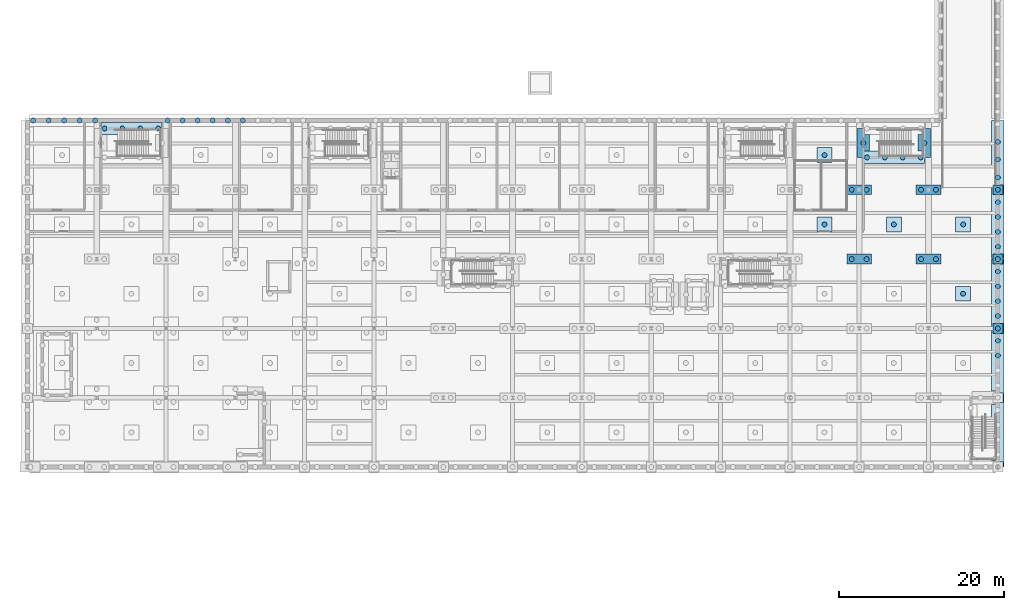
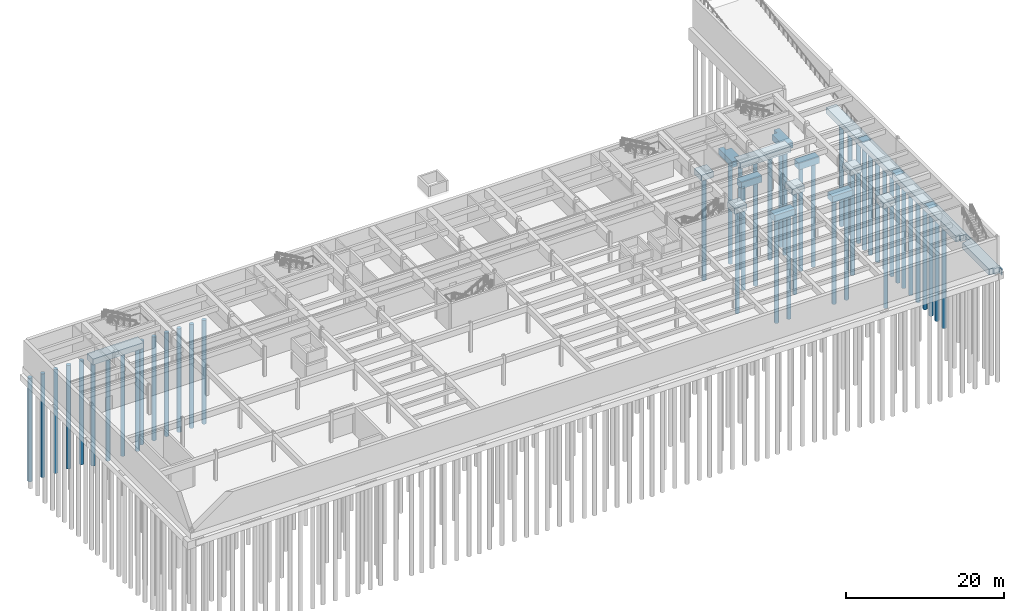
# One storey, part 9 of 33: 50 piles, 18 footings.
"""IFC4 building model written with IfcOpenShell, lengths in metres."""

from ifc_helpers import new_model, si_unit, direction, frame, origin, origin_2d, place, context, subcontext, project, spatial, polyline, circle, outline, extrude, material, layer, layer_set, material_profile, profile_set, type_object, element, save


model = new_model("IFC4")

# Units and contexts
model_context = context("Model", 3, precision=1e-05, world=origin(), true_north=direction((0.0, 1.0)))
body_context = subcontext(model_context, "Body", "Model", "MODEL_VIEW")
ifc_project = project(units=[si_unit("LENGTHUNIT", "METRE"), si_unit("AREAUNIT", "SQUARE_METRE"), si_unit("VOLUMEUNIT", "CUBIC_METRE"), si_unit("PLANEANGLEUNIT", "RADIAN"), si_unit("MASSUNIT", "GRAM", prefix="KILO")], contexts=[model_context])

# Site, building, storey
site_placement = place(None, origin())
site = spatial("IfcSite", under=ifc_project, at=site_placement, CompositionType="ELEMENT")
building_placement = place(site_placement, origin())
building = spatial("IfcBuilding", under=site, at=building_placement, Name="Ljudholm Concert House", CompositionType="ELEMENT")
storey_placement = place(building_placement, frame((0.0, 0.0, -4.60009765625)))
storey = spatial("IfcBuildingStorey", under=building, at=storey_placement, Name="B1", CompositionType="ELEMENT", Elevation=-4.60009765625)

# Piles
ifc_material_1 = material(Name="Concrete 5,000 psi", Category="concrete")
ifc_material_profile = material_profile(ifc_material_1, circle(Radius=0.300048828125, at=origin_2d()), Name="AUGER-CAST PILE D600")
ifc_profile_set = profile_set([ifc_material_profile], Name="Concrete 5,000 psi")
pile_type = type_object("IfcPileType", Name="AUGER-CAST PILE D600", PredefinedType="BORED", material=ifc_profile_set)
for number, where, z_axis, x_axis, name in (
    (1, (103.89990234375, 130.0, -1.89990234375), (0.0, 0.0, -1.0), (1.0, 0.0, 0.0), "Pile D600"),
    (2, (105.699951171875, 130.0, -1.89990234375), (0.0, 0.0, -1.0), (1.0, 0.0, 0.0), "Pile D600"),
    (3, (103.89990234375, 138.39990234375, -1.89990234375), (0.0, 0.0, -1.0), (1.0, 0.0, 0.0), "Pile D600"),
    (4, (105.699951171875, 138.39990234375, -1.89990234375), (0.0, 0.0, -1.0), (1.0, 0.0, 0.0), "Pile D600"),
    (5, (112.300048828125, 130.0, -1.89990234375), (0.0, 0.0, -1.0), (1.0, 0.0, 0.0), "Pile D600"),
    (6, (114.10009765625, 130.0, -1.89990234375), (0.0, 0.0, -1.0), (1.0, 0.0, 0.0), "Pile D600"),
    (7, (112.300048828125, 138.39990234375, -1.89990234375), (0.0, 0.0, -1.0), (1.0, 0.0, 0.0), "Pile D600"),
    (8, (114.10009765625, 138.39990234375, -1.89990234375), (0.0, 0.0, -1.0), (1.0, 0.0, 0.0), "Pile D600"),
    (9, (121.60009765625, 121.60009765625, -1.89990234375), (0.0, 0.0, -1.0), (1.0, 0.0, 0.0), "Pile D600"),
    (10, (121.60009765625, 130.0, -1.89990234375), (0.0, 0.0, -1.0), (1.0, 0.0, 0.0), "Pile D600"),
    (11, (121.60009765625, 138.39990234375, -1.89990234375), (0.0, 0.0, -1.0), (1.0, 0.0, 0.0), "Pile D600"),
    (12, (13.35009765625, 145.824951171875, -1.7998046875), (0.0, 0.0, -1.0), (1.0, 0.0, 0.0), "Pile D600"),
    (13, (15.514892578125, 145.824951171875, -1.7998046875), (0.0, 0.0, -1.0), (1.0, 0.0, 0.0), "Pile D600"),
    (14, (17.679931640625, 145.824951171875, -1.7998046875), (0.0, 0.0, -1.0), (1.0, 0.0, 0.0), "Pile D600"),
    (15, (19.844970703125, 145.824951171875, -1.7998046875), (0.0, 0.0, -1.0), (1.0, 0.0, 0.0), "Pile D600"),
    (16, (105.75, 142.324951171875, -1.7998046875), (0.0, 0.0, -1.0), (1.0, 0.0, 0.0), "Pile D600"),
    (17, (107.9150390625, 142.324951171875, -1.7998046875), (0.0, 0.0, -1.0), (1.0, 0.0, 0.0), "Pile D600"),
    (18, (110.080078125, 142.324951171875, -1.7998046875), (0.0, 0.0, -1.0), (1.0, 0.0, 0.0), "Pile D600"),
    (19, (112.2451171875, 142.324951171875, -1.7998046875), (0.0, 0.0, -1.0), (1.0, 0.0, 0.0), "Pile D600"),
    (20, (4.699951171875, 146.800048828125, -1.7998046875), (0.0, 0.0, -1.0), (1.0, 0.0, 0.0), "Pile D600"),
    (21, (6.57763671875, 146.800048828125, -1.7998046875), (0.0, 0.0, -1.0), (1.0, 0.0, 0.0), "Pile D600"),
    (22, (8.455322265625, 146.800048828125, -1.7998046875), (0.0, 0.0, -1.0), (1.0, 0.0, 0.0), "Pile D600"),
    (23, (10.3330078125, 146.800048828125, -1.7998046875), (0.0, 0.0, -1.0), (1.0, 0.0, 0.0), "Pile D600"),
    (24, (12.210693359375, 146.800048828125, -1.7998046875), (0.0, 0.0, -1.0), (1.0, 0.0, 0.0), "Pile D600"),
    (25, (20.984375, 146.800048828125, -1.7998046875), (0.0, 0.0, -1.0), (1.0, 0.0, 0.0), "Pile D600"),
    (26, (22.8095703125, 146.800048828125, -1.7998046875), (0.0, 0.0, -1.0), (1.0, 0.0, 0.0), "Pile D600"),
    (27, (24.634521484375, 146.800048828125, -1.7998046875), (0.0, 0.0, -1.0), (1.0, 0.0, 0.0), "Pile D600"),
    (28, (26.459716796875, 146.800048828125, -1.7998046875), (0.0, 0.0, -1.0), (1.0, 0.0, 0.0), "Pile D600"),
    (29, (28.284912109375, 146.800048828125, -1.7998046875), (0.0, 0.0, -1.0), (1.0, 0.0, 0.0), "Pile D600"),
    (30, (30.110107421875, 146.800048828125, -1.7998046875), (0.0, 0.0, -1.0), (1.0, 0.0, 0.0), "Pile D600"),
    (31, (112.695068359375, 144.074951171875, -1.7998046875), (0.0, 0.0, -1.0), (1.0, 0.0, 0.0), "Pile D600"),
    (32, (105.300048828125, 144.074951171875, -1.7998046875), (0.0, 0.0, -1.0), (1.0, 0.0, 0.0), "Pile D600"),
    (33, (121.60009765625, 118.300048828125, -1.7998046875), (0.0, 0.0, -1.0), (1.0, 0.0, 0.0), "Pile D600"),
    (34, (121.60009765625, 120.10009765625, -1.7998046875), (0.0, 0.0, -1.0), (1.0, 0.0, 0.0), "Pile D600"),
    (35, (121.60009765625, 123.10009765625, -1.7998046875), (0.0, 0.0, -1.0), (1.0, 0.0, 0.0), "Pile D600"),
    (36, (121.60009765625, 124.89990234375, -1.7998046875), (0.0, 0.0, -1.0), (1.0, 0.0, 0.0), "Pile D600"),
    (37, (121.60009765625, 126.699951171875, -1.7998046875), (0.0, 0.0, -1.0), (1.0, 0.0, 0.0), "Pile D600"),
    (38, (121.60009765625, 128.5, -1.7998046875), (0.0, 0.0, -1.0), (1.0, 0.0, 0.0), "Pile D600"),
    (39, (121.60009765625, 131.5, -1.7998046875), (0.0, 0.0, -1.0), (1.0, 0.0, 0.0), "Pile D600"),
    (40, (121.60009765625, 133.300048828125, -1.7998046875), (0.0, 0.0, -1.0), (1.0, 0.0, 0.0), "Pile D600"),
    (41, (121.60009765625, 135.10009765625, -1.7998046875), (0.0, 0.0, -1.0), (1.0, 0.0, 0.0), "Pile D600"),
    (42, (121.60009765625, 136.89990234375, -1.7998046875), (0.0, 0.0, -1.0), (1.0, 0.0, 0.0), "Pile D600"),
    (43, (121.60009765625, 139.89990234375, -1.7998046875), (0.0, 0.0, -1.0), (1.0, 0.0, 0.0), "Pile D600"),
    (44, (121.60009765625, 142.050048828125, -1.7998046875), (0.0, 0.0, -1.0), (1.0, 0.0, 0.0), "Pile D600"),
    (45, (121.60009765625, 144.199951171875, -1.7998046875), (0.0, 0.0, -1.0), (1.0, 0.0, 0.0), "Pile D600"),
    (46, (117.39990234375, 125.800048828125, -1.7998046875), (0.0, 0.0, -1.0), (1.0, 0.0, 0.0), "Pile D600"),
    (47, (100.60009765625, 134.199951171875, -1.7998046875), (0.0, 0.0, -1.0), (1.0, 0.0, 0.0), "Pile D600"),
    (48, (109.0, 134.199951171875, -1.7998046875), (0.0, 0.0, -1.0), (1.0, 0.0, 0.0), "Pile D600"),
    (49, (117.39990234375, 134.199951171875, -1.7998046875), (0.0, 0.0, -1.0), (1.0, 0.0, 0.0), "Pile D600"),
    (50, (100.60009765625, 142.60009765625, -1.7998046875), (0.0, 0.0, -1.0), (1.0, 0.0, 0.0), "Pile D600"),
):
    element("IfcPile", number, at=place(storey_placement, frame(where, z_axis=z_axis, x_axis=x_axis)), inside=storey, type_object=pile_type, Name=name, PredefinedType="BORED", context=body_context, shape_type="SweptSolid", body=[
        extrude(circle(Radius=0.300048828125, at=origin_2d()), origin(), (0.0, 0.0, 1.0), 16.0),
    ])

# Footings
ifc_material_2 = material(Name="Concrete 5,000 psi", Category="concrete")
ifc_layer_1 = layer(ifc_material_2, 1.0)
ifc_layer_set_1 = layer_set([ifc_layer_1], Name="Concrete 5,000 psi")
footing_type_1 = type_object("IfcFootingType", Name="RC PILE CAP 1200x1200x1000", PredefinedType="PILE_CAP", material=ifc_layer_set_1)
footing_1_placement = place(storey_placement, frame((0.0, 0.0, -1.89990234375)))
element("IfcFooting", 51, at=footing_1_placement, inside=storey, type_object=footing_type_1, Name="Pile cap", PredefinedType="PILE_CAP", context=body_context, shape_type="SweptSolid", body=[
    extrude(outline(polyline([(121.0, 122.18994140625), (121.0, 121.010009765625), (121.000732421875, 121.006103515625), (121.0029296875, 121.0029296875), (121.006103515625, 121.000732421875), (121.010009765625, 121.0), (122.18994140625, 121.0), (122.19384765625, 121.000732421875), (122.197021484375, 121.0029296875), (122.19921875, 121.006103515625), (122.199951171875, 121.010009765625), (122.199951171875, 122.18994140625), (122.19921875, 122.19384765625), (122.197021484375, 122.197021484375), (122.19384765625, 122.19921875), (122.18994140625, 122.199951171875), (121.010009765625, 122.199951171875), (121.006103515625, 122.19921875), (121.0029296875, 122.197021484375), (121.000732421875, 122.19384765625), (121.0, 122.18994140625)])), origin(), (0.0, 0.0, 1.0), 1.0),
])
footing_2_placement = place(storey_placement, frame((0.0, 0.0, -1.89990234375)))
element("IfcFooting", 52, at=footing_2_placement, inside=storey, type_object=footing_type_1, Name="Pile cap", PredefinedType="PILE_CAP", context=body_context, shape_type="SweptSolid", body=[
    extrude(outline(polyline([(121.010009765625, 129.39990234375), (122.18994140625, 129.39990234375), (122.19384765625, 129.40087890625), (122.197021484375, 129.40283203125), (122.19921875, 129.40625), (122.199951171875, 129.409912109375), (122.199951171875, 130.590087890625), (122.19921875, 130.59375), (122.197021484375, 130.59716796875), (122.19384765625, 130.59912109375), (122.18994140625, 130.60009765625), (121.010009765625, 130.60009765625), (121.006103515625, 130.59912109375), (121.0029296875, 130.59716796875), (121.000732421875, 130.59375), (121.0, 130.590087890625), (121.0, 129.409912109375), (121.000732421875, 129.40625), (121.0029296875, 129.40283203125), (121.006103515625, 129.40087890625), (121.010009765625, 129.39990234375)])), origin(), (0.0, 0.0, 1.0), 1.0),
])
footing_3_placement = place(storey_placement, frame((0.0, 0.0, -1.89990234375)))
element("IfcFooting", 53, at=footing_3_placement, inside=storey, type_object=footing_type_1, Name="Pile cap", PredefinedType="PILE_CAP", context=body_context, shape_type="SweptSolid", body=[
    extrude(outline(polyline([(121.0, 138.989990234375), (121.0, 137.81005859375), (121.000732421875, 137.80615234375), (121.0029296875, 137.802978515625), (121.006103515625, 137.80078125), (121.010009765625, 137.800048828125), (122.18994140625, 137.800048828125), (122.19384765625, 137.80078125), (122.197021484375, 137.802978515625), (122.19921875, 137.80615234375), (122.199951171875, 137.81005859375), (122.199951171875, 138.989990234375), (122.19921875, 138.993896484375), (122.197021484375, 138.9970703125), (122.19384765625, 138.999267578125), (122.18994140625, 139.0), (121.010009765625, 139.0), (121.006103515625, 138.999267578125), (121.0029296875, 138.9970703125), (121.000732421875, 138.993896484375), (121.0, 138.989990234375)])), origin(), (0.0, 0.0, 1.0), 1.0),
])
ifc_material_3 = material(Name="Concrete 5,000 psi", Category="concrete")
ifc_layer_2 = layer(ifc_material_3, 0.89990234375)
ifc_layer_set_2 = layer_set([ifc_layer_2], Name="Concrete 5,000 psi")
footing_type_2 = type_object("IfcFootingType", Name="RC PILE CAP 1800x1800x900", PredefinedType="PILE_CAP", material=ifc_layer_set_2)
footing_4_placement = place(storey_placement, frame((0.0, 0.0, -1.7998046875)))
element("IfcFooting", 54, at=footing_4_placement, inside=storey, type_object=footing_type_2, Name="Uplift pile cap", PredefinedType="PILE_CAP", context=body_context, shape_type="SweptSolid", body=[
    extrude(outline(polyline([(116.5, 126.68994140625), (116.5, 124.909912109375), (116.500732421875, 124.90625), (116.5029296875, 124.90283203125), (116.506103515625, 124.90087890625), (116.510009765625, 124.89990234375), (118.2900390625, 124.89990234375), (118.2939453125, 124.90087890625), (118.297119140625, 124.90283203125), (118.29931640625, 124.90625), (118.300048828125, 124.909912109375), (118.300048828125, 126.68994140625), (118.29931640625, 126.69384765625), (118.297119140625, 126.697021484375), (118.2939453125, 126.69921875), (118.2900390625, 126.699951171875), (116.510009765625, 126.699951171875), (116.506103515625, 126.69921875), (116.5029296875, 126.697021484375), (116.500732421875, 126.69384765625), (116.5, 126.68994140625)])), origin(), (0.0, 0.0, 1.0), 0.89990234375),
])
footing_5_placement = place(storey_placement, frame((0.0, 0.0, -1.7998046875)))
element("IfcFooting", 55, at=footing_5_placement, inside=storey, type_object=footing_type_2, Name="Uplift pile cap", PredefinedType="PILE_CAP", context=body_context, shape_type="SweptSolid", body=[
    extrude(outline(polyline([(99.7099609375, 133.300048828125), (101.489990234375, 133.300048828125), (101.493896484375, 133.30078125), (101.4970703125, 133.302978515625), (101.499267578125, 133.30615234375), (101.5, 133.31005859375), (101.5, 135.090087890625), (101.499267578125, 135.09375), (101.4970703125, 135.09716796875), (101.493896484375, 135.09912109375), (101.489990234375, 135.10009765625), (99.7099609375, 135.10009765625), (99.7060546875, 135.09912109375), (99.702880859375, 135.09716796875), (99.70068359375, 135.09375), (99.699951171875, 135.090087890625), (99.699951171875, 133.31005859375), (99.70068359375, 133.30615234375), (99.702880859375, 133.302978515625), (99.7060546875, 133.30078125), (99.7099609375, 133.300048828125)])), origin(), (0.0, 0.0, 1.0), 0.89990234375),
])
footing_6_placement = place(storey_placement, frame((0.0, 0.0, -1.7998046875)))
element("IfcFooting", 56, at=footing_6_placement, inside=storey, type_object=footing_type_2, Name="Uplift pile cap", PredefinedType="PILE_CAP", context=body_context, shape_type="SweptSolid", body=[
    extrude(outline(polyline([(108.110107421875, 133.300048828125), (109.889892578125, 133.300048828125), (109.893798828125, 133.30078125), (109.89697265625, 133.302978515625), (109.899169921875, 133.30615234375), (109.89990234375, 133.31005859375), (109.89990234375, 135.090087890625), (109.899169921875, 135.09375), (109.89697265625, 135.09716796875), (109.893798828125, 135.09912109375), (109.889892578125, 135.10009765625), (108.110107421875, 135.10009765625), (108.106201171875, 135.09912109375), (108.10302734375, 135.09716796875), (108.100830078125, 135.09375), (108.10009765625, 135.090087890625), (108.10009765625, 133.31005859375), (108.100830078125, 133.30615234375), (108.10302734375, 133.302978515625), (108.106201171875, 133.30078125), (108.110107421875, 133.300048828125)])), origin(), (0.0, 0.0, 1.0), 0.89990234375),
])
footing_7_placement = place(storey_placement, frame((0.0, 0.0, -1.7998046875)))
element("IfcFooting", 57, at=footing_7_placement, inside=storey, type_object=footing_type_2, Name="Uplift pile cap", PredefinedType="PILE_CAP", context=body_context, shape_type="SweptSolid", body=[
    extrude(outline(polyline([(116.510009765625, 133.300048828125), (118.2900390625, 133.300048828125), (118.2939453125, 133.30078125), (118.297119140625, 133.302978515625), (118.29931640625, 133.30615234375), (118.300048828125, 133.31005859375), (118.300048828125, 135.090087890625), (118.29931640625, 135.09375), (118.297119140625, 135.09716796875), (118.2939453125, 135.09912109375), (118.2900390625, 135.10009765625), (116.510009765625, 135.10009765625), (116.506103515625, 135.09912109375), (116.5029296875, 135.09716796875), (116.500732421875, 135.09375), (116.5, 135.090087890625), (116.5, 133.31005859375), (116.500732421875, 133.30615234375), (116.5029296875, 133.302978515625), (116.506103515625, 133.30078125), (116.510009765625, 133.300048828125)])), origin(), (0.0, 0.0, 1.0), 0.89990234375),
])
footing_8_placement = place(storey_placement, frame((0.0, 0.0, -1.7998046875)))
element("IfcFooting", 58, at=footing_8_placement, inside=storey, type_object=footing_type_2, Name="Uplift pile cap", PredefinedType="PILE_CAP", context=body_context, shape_type="SweptSolid", body=[
    extrude(outline(polyline([(99.699951171875, 143.489990234375), (99.699951171875, 141.7099609375), (99.70068359375, 141.7060546875), (99.702880859375, 141.702880859375), (99.7060546875, 141.70068359375), (99.7099609375, 141.699951171875), (101.489990234375, 141.699951171875), (101.493896484375, 141.70068359375), (101.4970703125, 141.702880859375), (101.499267578125, 141.7060546875), (101.5, 141.7099609375), (101.5, 143.489990234375), (101.499267578125, 143.493896484375), (101.4970703125, 143.4970703125), (101.493896484375, 143.499267578125), (101.489990234375, 143.5), (99.7099609375, 143.5), (99.7060546875, 143.499267578125), (99.702880859375, 143.4970703125), (99.70068359375, 143.493896484375), (99.699951171875, 143.489990234375)])), origin(), (0.0, 0.0, 1.0), 0.89990234375),
])
ifc_material_4 = material(Name="Concrete 5,000 psi", Category="concrete")
ifc_layer_3 = layer(ifc_material_4, 1.0)
ifc_layer_set_3 = layer_set([ifc_layer_3], Name="Concrete 5,000 psi")
footing_type_3 = type_object("IfcFootingType", Name="RC PILE CAP 3000x1200x1000", PredefinedType="PILE_CAP", material=ifc_layer_set_3)
footing_9_placement = place(storey_placement, frame((0.0, 0.0, -1.89990234375)))
element("IfcFooting", 59, at=footing_9_placement, inside=storey, type_object=footing_type_3, Name="Pile cap", PredefinedType="PILE_CAP", context=body_context, shape_type="SweptSolid", body=[
    extrude(outline(polyline([(103.31005859375, 129.39990234375), (106.2900390625, 129.39990234375), (106.2939453125, 129.40087890625), (106.29833984375, 129.404541015625), (106.300048828125, 129.409912109375), (106.300048828125, 130.590087890625), (106.29931640625, 130.59375), (106.295654296875, 130.598388671875), (106.2900390625, 130.60009765625), (103.31005859375, 130.60009765625), (103.30615234375, 130.59912109375), (103.3017578125, 130.595458984375), (103.300048828125, 130.590087890625), (103.300048828125, 129.409912109375), (103.30078125, 129.40625), (103.302978515625, 129.40283203125), (103.30615234375, 129.40087890625), (103.31005859375, 129.39990234375)])), origin(), (0.0, 0.0, 1.0), 1.0),
])
footing_10_placement = place(storey_placement, frame((0.0, 0.0, -1.89990234375)))
element("IfcFooting", 60, at=footing_10_placement, inside=storey, type_object=footing_type_3, Name="Pile cap", PredefinedType="PILE_CAP", context=body_context, shape_type="SweptSolid", body=[
    extrude(outline(polyline([(103.300048828125, 138.989990234375), (103.300048828125, 137.81005859375), (103.3017578125, 137.804443359375), (103.30615234375, 137.80078125), (103.31005859375, 137.800048828125), (106.2900390625, 137.800048828125), (106.295654296875, 137.8017578125), (106.29931640625, 137.80615234375), (106.300048828125, 137.81005859375), (106.300048828125, 138.989990234375), (106.29833984375, 138.99560546875), (106.2939453125, 138.999267578125), (106.2900390625, 139.0), (103.31005859375, 139.0), (103.30615234375, 138.999267578125), (103.302978515625, 138.9970703125), (103.30078125, 138.993896484375), (103.300048828125, 138.989990234375)])), origin(), (0.0, 0.0, 1.0), 1.0),
])
footing_11_placement = place(storey_placement, frame((0.0, 0.0, -1.89990234375)))
element("IfcFooting", 61, at=footing_11_placement, inside=storey, type_object=footing_type_3, Name="Pile cap", PredefinedType="PILE_CAP", context=body_context, shape_type="SweptSolid", body=[
    extrude(outline(polyline([(111.7099609375, 129.39990234375), (114.68994140625, 129.39990234375), (114.69384765625, 129.40087890625), (114.6982421875, 129.404541015625), (114.699951171875, 129.409912109375), (114.699951171875, 130.590087890625), (114.69921875, 130.59375), (114.695556640625, 130.598388671875), (114.68994140625, 130.60009765625), (111.7099609375, 130.60009765625), (111.7060546875, 130.59912109375), (111.70166015625, 130.595458984375), (111.699951171875, 130.590087890625), (111.699951171875, 129.409912109375), (111.70068359375, 129.40625), (111.702880859375, 129.40283203125), (111.7060546875, 129.40087890625), (111.7099609375, 129.39990234375)])), origin(), (0.0, 0.0, 1.0), 1.0),
])
footing_12_placement = place(storey_placement, frame((0.0, 0.0, -1.89990234375)))
element("IfcFooting", 62, at=footing_12_placement, inside=storey, type_object=footing_type_3, Name="Pile cap", PredefinedType="PILE_CAP", context=body_context, shape_type="SweptSolid", body=[
    extrude(outline(polyline([(111.699951171875, 138.989990234375), (111.699951171875, 137.81005859375), (111.70166015625, 137.804443359375), (111.7060546875, 137.80078125), (111.7099609375, 137.800048828125), (114.68994140625, 137.800048828125), (114.695556640625, 137.8017578125), (114.69921875, 137.80615234375), (114.699951171875, 137.81005859375), (114.699951171875, 138.989990234375), (114.6982421875, 138.99560546875), (114.69384765625, 138.999267578125), (114.68994140625, 139.0), (111.7099609375, 139.0), (111.7060546875, 138.999267578125), (111.702880859375, 138.9970703125), (111.70068359375, 138.993896484375), (111.699951171875, 138.989990234375)])), origin(), (0.0, 0.0, 1.0), 1.0),
])
ifc_material_5 = material(Name="Concrete 5,000 psi", Category="concrete")
ifc_layer_4 = layer(ifc_material_5, 0.89990234375)
ifc_layer_set_4 = layer_set([ifc_layer_4], Name="Concrete 5,000 psi")
footing_type_4 = type_object("IfcFootingType", Name="RC STRIP FOOTING 1500x900", PredefinedType="STRIP_FOOTING", material=ifc_layer_set_4)
footing_13_placement = place(storey_placement, frame((0.0, 0.0, -1.7998046875)))
element("IfcFooting", 63, at=footing_13_placement, inside=storey, type_object=footing_type_4, Name="Strip footing", PredefinedType="STRIP_FOOTING", context=body_context, shape_type="SweptSolid", body=[
    extrude(outline(polyline([(12.909912109375, 145.074951171875), (20.286865234375, 145.0751953125), (20.289794921875, 145.076171875), (20.292724609375, 145.07861328125), (20.294189453125, 145.0810546875), (20.294921875, 145.0849609375), (20.294921875, 146.56689453125), (20.293701171875, 146.56982421875), (20.291259765625, 146.57275390625), (20.287841796875, 146.574462890625), (20.284912109375, 146.574951171875), (12.907958984375, 146.57470703125), (12.9052734375, 146.57373046875), (12.90234375, 146.5712890625), (12.90087890625, 146.56884765625), (12.89990234375, 146.56494140625), (12.89990234375, 145.0849609375), (12.90087890625, 145.0810546875), (12.90283203125, 145.077880859375), (12.90625, 145.07568359375), (12.909912109375, 145.074951171875)])), origin(), (0.0, 0.0, 1.0), 0.89990234375),
])
footing_14_placement = place(storey_placement, frame((0.0, 0.0, -1.7998046875)))
element("IfcFooting", 64, at=footing_14_placement, inside=storey, type_object=footing_type_4, Name="Strip footing", PredefinedType="STRIP_FOOTING", context=body_context, shape_type="SweptSolid", body=[
    extrude(outline(polyline([(105.31005859375, 141.574951171875), (112.68701171875, 141.5751953125), (112.689697265625, 141.576171875), (112.692626953125, 141.57861328125), (112.6943359375, 141.5810546875), (112.695068359375, 141.5849609375), (112.69482421875, 143.06689453125), (112.69384765625, 143.06982421875), (112.69140625, 143.07275390625), (112.68798828125, 143.074462890625), (112.68505859375, 143.074951171875), (105.30810546875, 143.07470703125), (105.30517578125, 143.07373046875), (105.30224609375, 143.0712890625), (105.30078125, 143.06884765625), (105.300048828125, 143.06494140625), (105.300048828125, 141.5849609375), (105.30078125, 141.5810546875), (105.302978515625, 141.577880859375), (105.30615234375, 141.57568359375), (105.31005859375, 141.574951171875)])), origin(), (0.0, 0.0, 1.0), 0.89990234375),
])
footing_15_placement = place(storey_placement, frame((0.0, 0.0, -1.7998046875)))
element("IfcFooting", 65, at=footing_15_placement, inside=storey, type_object=footing_type_4, Name="Strip footing", PredefinedType="STRIP_FOOTING", context=body_context, shape_type="SweptSolid", body=[
    extrude(outline(polyline([(111.955078125, 143.074951171875), (112.684814453125, 143.074951171875), (112.688720703125, 143.07421875), (112.692138671875, 143.072021484375), (112.6943359375, 143.06884765625), (112.695068359375, 143.064697265625), (112.695068359375, 142.3349609375), (112.6962890625, 142.330322265625), (112.7001953125, 142.326171875), (112.705078125, 142.324951171875), (113.43505859375, 142.324951171875), (113.439697265625, 142.326171875), (113.44384765625, 142.330322265625), (113.445068359375, 142.3349609375), (113.445068359375, 145.81494140625), (113.44384765625, 145.81982421875), (113.439697265625, 145.82373046875), (113.43505859375, 145.824951171875), (112.705078125, 145.824951171875), (112.7001953125, 145.82373046875), (112.6962890625, 145.81982421875), (112.695068359375, 145.81494140625), (112.695068359375, 145.085205078125), (112.6943359375, 145.081298828125), (112.692138671875, 145.077880859375), (112.688720703125, 145.07568359375), (112.684814453125, 145.074951171875), (111.955078125, 145.074951171875), (111.9501953125, 145.07373046875), (111.9462890625, 145.06982421875), (111.945068359375, 145.06494140625), (111.945068359375, 143.0849609375), (111.94580078125, 143.0810546875), (111.947998046875, 143.077880859375), (111.951171875, 143.07568359375), (111.955078125, 143.074951171875)])), origin(), (0.0, 0.0, 1.0), 0.89990234375),
])
footing_16_placement = place(storey_placement, frame((0.0, 0.0, -1.7998046875)))
element("IfcFooting", 66, at=footing_16_placement, inside=storey, type_object=footing_type_4, Name="Strip footing", PredefinedType="STRIP_FOOTING", context=body_context, shape_type="SweptSolid", body=[
    extrude(outline(polyline([(104.56005859375, 142.324951171875), (105.2900390625, 142.324951171875), (105.294677734375, 142.326171875), (105.298828125, 142.330322265625), (105.300048828125, 142.3349609375), (105.300048828125, 143.064697265625), (105.30078125, 143.06884765625), (105.302978515625, 143.072021484375), (105.30615234375, 143.07421875), (105.310302734375, 143.074951171875), (106.0400390625, 143.074951171875), (106.04296875, 143.075439453125), (106.04638671875, 143.0771484375), (106.048828125, 143.080322265625), (106.0498046875, 143.0830078125), (106.049560546875, 145.06787109375), (106.04638671875, 145.07275390625), (106.04296875, 145.074462890625), (106.0400390625, 145.074951171875), (105.310302734375, 145.074951171875), (105.30615234375, 145.07568359375), (105.302978515625, 145.077880859375), (105.30078125, 145.081298828125), (105.300048828125, 145.085205078125), (105.300048828125, 145.81494140625), (105.29931640625, 145.81884765625), (105.2978515625, 145.8212890625), (105.294677734375, 145.82373046875), (105.2919921875, 145.82470703125), (104.56005859375, 145.824951171875), (104.55712890625, 145.824462890625), (104.5537109375, 145.82275390625), (104.55126953125, 145.81982421875), (104.55029296875, 145.81689453125), (104.550048828125, 142.3349609375), (104.55078125, 142.3310546875), (104.552978515625, 142.327880859375), (104.55615234375, 142.32568359375), (104.56005859375, 142.324951171875)])), origin(), (0.0, 0.0, 1.0), 0.89990234375),
])
footing_17_placement = place(storey_placement, frame((0.0, 0.0, -1.7998046875)))
element("IfcFooting", 67, at=footing_17_placement, inside=storey, type_object=footing_type_4, Name="Strip footing", PredefinedType="STRIP_FOOTING", context=body_context, shape_type="SweptSolid", body=[
    extrude(outline(polyline([(120.85009765625, 129.989990234375), (120.85009765625, 114.009033203125), (120.85107421875, 114.00537109375), (120.85302734375, 114.0029296875), (120.856201171875, 114.000732421875), (120.860107421875, 114.0), (121.3896484375, 114.0), (121.393798828125, 113.999267578125), (121.398193359375, 113.99560546875), (121.39990234375, 113.98974609375), (121.400146484375, 113.80908203125), (121.401123046875, 113.80517578125), (121.40283203125, 113.802978515625), (121.407958984375, 113.80029296875), (122.189697265625, 113.800048828125), (122.19384765625, 113.79931640625), (122.197021484375, 113.797119140625), (122.19921875, 113.793701171875), (122.199951171875, 113.789794921875), (122.199951171875, 112.6103515625), (122.19921875, 112.606201171875), (122.197021484375, 112.60302734375), (122.19384765625, 112.600830078125), (122.189697265625, 112.60009765625), (121.407958984375, 112.599853515625), (121.40283203125, 112.59716796875), (121.401123046875, 112.5947265625), (121.400146484375, 112.591064453125), (121.39990234375, 112.41015625), (121.398193359375, 112.404541015625), (121.393798828125, 112.40087890625), (121.3896484375, 112.39990234375), (120.860107421875, 112.39990234375), (120.856201171875, 112.399169921875), (120.853759765625, 112.397705078125), (120.85107421875, 112.394775390625), (120.85009765625, 112.391845703125), (120.85009765625, 105.609130859375), (120.85107421875, 105.605224609375), (120.85302734375, 105.60302734375), (120.856201171875, 105.600830078125), (120.860107421875, 105.60009765625), (121.3896484375, 105.60009765625), (121.393798828125, 105.59912109375), (121.398193359375, 105.595458984375), (121.39990234375, 105.58984375), (121.400146484375, 105.408935546875), (121.401123046875, 105.4052734375), (121.40283203125, 105.40283203125), (121.407958984375, 105.400146484375), (122.189697265625, 105.39990234375), (122.19482421875, 105.39892578125), (122.19873046875, 105.394775390625), (122.199951171875, 105.3896484375), (122.2001953125, 104.80810546875), (122.202880859375, 104.802978515625), (122.205322265625, 104.80126953125), (122.208984375, 104.800048828125), (122.341064453125, 104.800048828125), (122.3447265625, 104.80126953125), (122.34716796875, 104.802978515625), (122.34912109375, 104.80615234375), (122.35009765625, 104.81005859375), (122.349853515625, 129.990966796875), (122.348876953125, 129.99462890625), (122.346435546875, 129.997802734375), (122.343017578125, 129.99951171875), (122.340087890625, 130.0), (122.208984375, 130.0), (122.20361328125, 129.997802734375), (122.200439453125, 129.992919921875), (122.199951171875, 129.41015625), (122.19921875, 129.40625), (122.197021484375, 129.40283203125), (122.19384765625, 129.40087890625), (122.189697265625, 129.39990234375), (121.01025390625, 129.39990234375), (121.006103515625, 129.40087890625), (121.001708984375, 129.404541015625), (121.0, 129.41015625), (120.99951171875, 129.992919921875), (120.996337890625, 129.997802734375), (120.990966796875, 130.0), (120.860107421875, 130.0), (120.856201171875, 129.999267578125), (120.85302734375, 129.9970703125), (120.850830078125, 129.993896484375), (120.85009765625, 129.989990234375)]), holes=[polyline([(121.01025390625, 122.199951171875), (122.189697265625, 122.199951171875), (122.19384765625, 122.19921875), (122.197021484375, 122.197021484375), (122.19921875, 122.19384765625), (122.199951171875, 122.189697265625), (122.199951171875, 121.01025390625), (122.19921875, 121.006103515625), (122.197021484375, 121.0029296875), (122.19384765625, 121.000732421875), (122.189697265625, 121.0), (121.01025390625, 121.0), (121.006103515625, 121.000732421875), (121.0029296875, 121.0029296875), (121.000732421875, 121.006103515625), (121.0, 121.01025390625), (121.0, 122.189697265625), (121.000732421875, 122.19384765625), (121.0029296875, 122.197021484375), (121.006103515625, 122.19921875), (121.01025390625, 122.199951171875)])]), origin(), (0.0, 0.0, 1.0), 0.89990234375),
])
footing_18_placement = place(storey_placement, frame((0.0, 0.0, -1.7998046875)))
element("IfcFooting", 68, at=footing_18_placement, inside=storey, type_object=footing_type_4, Name="Strip footing", PredefinedType="STRIP_FOOTING", context=body_context, shape_type="SweptSolid", body=[
    extrude(outline(polyline([(120.85009765625, 146.7900390625), (120.85009765625, 130.05908203125), (120.85107421875, 130.05517578125), (120.853759765625, 130.05224609375), (120.857177734375, 130.050537109375), (120.860107421875, 130.050048828125), (120.990966796875, 130.050048828125), (120.996337890625, 130.05224609375), (120.99951171875, 130.05712890625), (121.0, 130.58984375), (121.001708984375, 130.595458984375), (121.006103515625, 130.59912109375), (121.01025390625, 130.60009765625), (122.189697265625, 130.60009765625), (122.19384765625, 130.59912109375), (122.197021484375, 130.59716796875), (122.19921875, 130.59375), (122.199951171875, 130.58984375), (122.200439453125, 130.05712890625), (122.20361328125, 130.05224609375), (122.208984375, 130.050048828125), (122.341064453125, 130.050048828125), (122.3447265625, 130.05126953125), (122.34765625, 130.0537109375), (122.34912109375, 130.05615234375), (122.35009765625, 130.06005859375), (122.349853515625, 146.791015625), (122.348876953125, 146.794677734375), (122.346435546875, 146.7978515625), (122.343017578125, 146.799560546875), (122.340087890625, 146.800048828125), (120.860107421875, 146.800048828125), (120.856201171875, 146.79931640625), (120.85302734375, 146.797119140625), (120.850830078125, 146.7939453125), (120.85009765625, 146.7900390625)]), holes=[polyline([(121.0, 137.810302734375), (121.0, 138.98974609375), (121.000732421875, 138.993896484375), (121.0029296875, 138.9970703125), (121.006103515625, 138.999267578125), (121.01025390625, 139.0), (122.189697265625, 139.0), (122.19384765625, 138.999267578125), (122.197021484375, 138.9970703125), (122.19921875, 138.993896484375), (122.199951171875, 138.98974609375), (122.199951171875, 137.810302734375), (122.19921875, 137.80615234375), (122.197021484375, 137.802978515625), (122.19384765625, 137.80078125), (122.189697265625, 137.800048828125), (121.01025390625, 137.800048828125), (121.006103515625, 137.80078125), (121.0029296875, 137.802978515625), (121.000732421875, 137.80615234375), (121.0, 137.810302734375)])]), origin(), (0.0, 0.0, 1.0), 0.89990234375),
])

save(model, "model.ifc")
